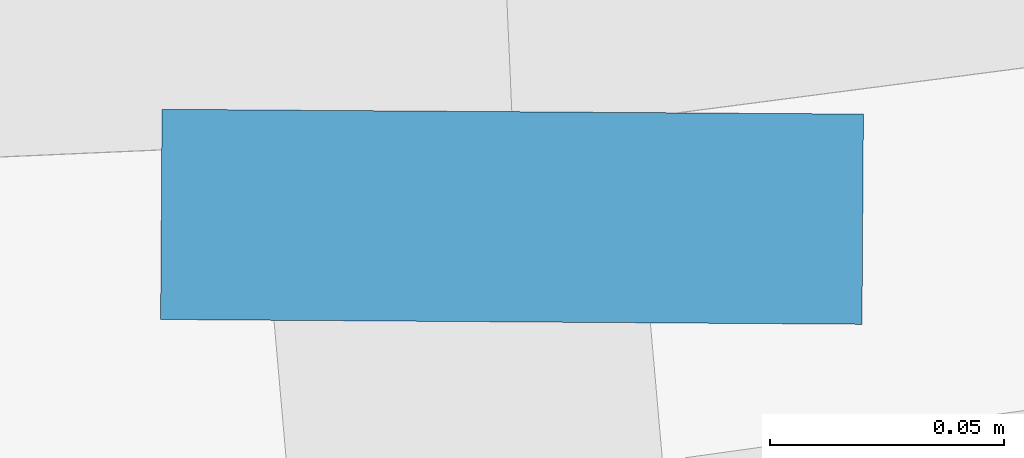
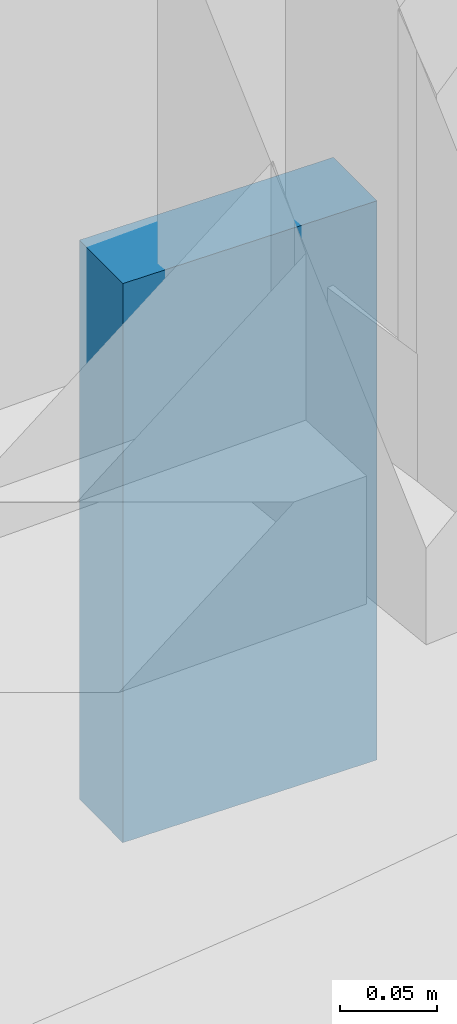
# One storey, part 14 of 20: 1 discrete accessory.
"""IFC4 building model written with IfcOpenShell, lengths in metres."""

from ifc_helpers import new_model, si_unit, direction, frame, origin, origin_2d, place, context, subcontext, project, spatial, rectangle, extrude, material, type_object, element, save


model = new_model("IFC4")

# Units and contexts
model_context = context("Model", 3, precision=1e-05, world=origin(), true_north=direction((0.0, 1.0)))
body_context = subcontext(model_context, "Body", "Model", "MODEL_VIEW")
ifc_project = project(units=[si_unit("LENGTHUNIT", "METRE"), si_unit("AREAUNIT", "SQUARE_METRE"), si_unit("VOLUMEUNIT", "CUBIC_METRE"), si_unit("PLANEANGLEUNIT", "RADIAN"), si_unit("MASSUNIT", "GRAM", prefix="KILO")], contexts=[model_context])

# Site, building, storey
site_placement = place(None, origin())
site = spatial("IfcSite", under=ifc_project, at=site_placement, CompositionType="ELEMENT")
building_placement = place(site_placement, origin())
building = spatial("IfcBuilding", under=site, at=building_placement, Name="Ghaith Harvest Tower", CompositionType="ELEMENT")
storey_placement = place(building_placement, frame((0.0, 0.0, 105.0)))
storey = spatial("IfcBuildingStorey", under=building, at=storey_placement, Name="L21", CompositionType="ELEMENT", Elevation=105.0)

# Discrete accessory
ifc_material = material(Name="Stainless steel grade 1.4401", Category="steel")
discrete_accessory_type = type_object("IfcDiscreteAccessoryType", Name="CURTAIN WALL BRACKET 45", PredefinedType="BRACKET", material=ifc_material)
discrete_accessory_placement = place(storey_placement, frame((-0.180908203125, -26.441162109375, -0.25), z_axis=(0.0, 0.0, 1.0), x_axis=(-0.006843747957, -0.999976581283, 0.0)))
element("IfcDiscreteAccessory", 1, at=discrete_accessory_placement, inside=storey, type_object=discrete_accessory_type, Name="CW-L bracket 1 bay 16 L21", PredefinedType="BRACKET", context=body_context, shape_type="SweptSolid", body=[
    extrude(rectangle(XDim=0.044921875, YDim=0.14990234375, at=origin_2d()), origin(), (0.0, 0.0, 1.0), 0.35009765625),
])

save(model, "model.ifc")
